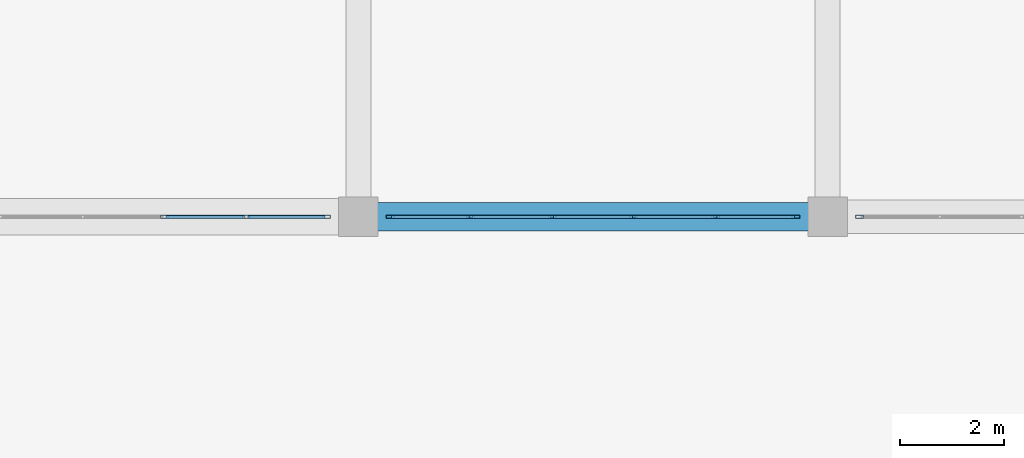
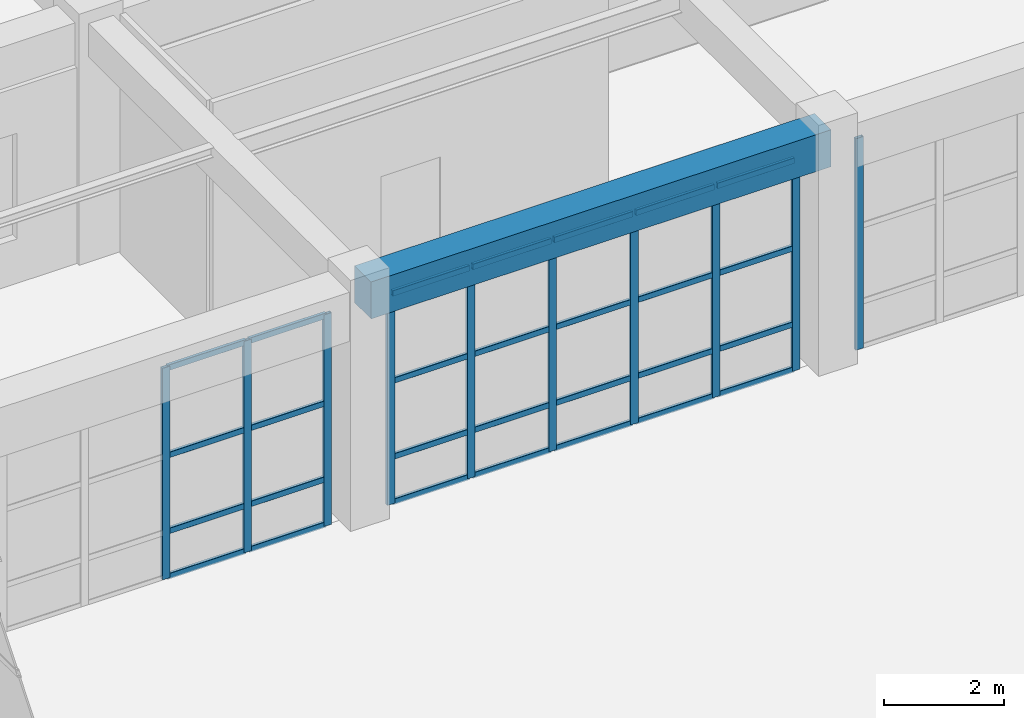
# One storey, part 33 of 128: 38 members, 1 beam, 3 elements without a shape of their own.
"""IFC4 building model written with IfcOpenShell, lengths in metres."""

from ifc_helpers import new_model, si_unit, direction, frame, origin, origin_2d, place, context, subcontext, project, spatial, rectangle, hollow_rectangle, extrude, material, material_profile, profile_set, type_object, element, aggregate, save


model = new_model("IFC4")

# Units and contexts
model_context = context("Model", 3, precision=1e-05, world=origin(), true_north=direction((0.0, 1.0)))
body_context = subcontext(model_context, "Body", "Model", "MODEL_VIEW")
ifc_project = project(units=[si_unit("LENGTHUNIT", "METRE"), si_unit("AREAUNIT", "SQUARE_METRE"), si_unit("VOLUMEUNIT", "CUBIC_METRE"), si_unit("PLANEANGLEUNIT", "RADIAN"), si_unit("MASSUNIT", "GRAM", prefix="KILO")], contexts=[model_context])

# Site, building, storey
site_placement = place(None, origin())
site = spatial("IfcSite", under=ifc_project, at=site_placement, CompositionType="ELEMENT")
building_placement = place(site_placement, origin())
building = spatial("IfcBuilding", under=site, at=building_placement, Name="Miravela Opera House", CompositionType="ELEMENT")
storey_placement = place(building_placement, origin())
storey = spatial("IfcBuildingStorey", under=building, at=storey_placement, Name="L00", CompositionType="ELEMENT", Elevation=0.0)

# Curtain wall, members
ifc_material_1 = material(Name="Anodised architectural bronze aluminium 6063-T6", Category="aluminium")
curtain_wall_type = type_object("IfcCurtainWallType", Name="ARC-CW-06", PredefinedType="NOTDEFINED", material=ifc_material_1)
curtain_wall_1_placement = place(storey_placement, origin())
curtain_wall_1 = element("IfcCurtainWall", 1, at=curtain_wall_1_placement, inside=storey, type_object=curtain_wall_type, Name="Courtyard Arcade Curtain Wall CW-L00-113", PredefinedType="NOTDEFINED")
ifc_material_profile_1 = material_profile(ifc_material_1, hollow_rectangle(XDim=0.06005859375, YDim=0.14990234375, WallThickness=0.00390625, InnerFilletRadius=0.001953125, OuterFilletRadius=0.00390625, at=origin_2d()), Name="CWM-60X150")
ifc_profile_set_1 = profile_set([ifc_material_profile_1])
member_type_1 = type_object("IfcMemberType", Name="ARC-CWM-150", PredefinedType="MULLION", material=ifc_profile_set_1)
member_1_placement = place(storey_placement, frame((32.283935546875, 28.0, 0.0), z_axis=(0.0, 0.0, 1.0), x_axis=(0.0, 1.0, 0.0)))
member_1 = element("IfcMember", 2, at=member_1_placement, type_object=member_type_1, Name="CW-06 mullion 4", PredefinedType="MULLION", context=body_context, shape_type="SweptSolid", body=[
    extrude(hollow_rectangle(XDim=0.06005859375, YDim=0.14990234375, WallThickness=0.00390625, InnerFilletRadius=0.001953125, OuterFilletRadius=0.00390625, at=origin_2d()), origin(), (0.0, 0.0, 1.0), 4.300048828125),
])
member_2_placement = place(storey_placement, frame((33.85205078125, 28.0, 0.0), z_axis=(0.0, 0.0, 1.0), x_axis=(0.0, 1.0, 0.0)))
member_2 = element("IfcMember", 3, at=member_2_placement, type_object=member_type_1, Name="CW-06 mullion 5", PredefinedType="MULLION", context=body_context, shape_type="SweptSolid", body=[
    extrude(hollow_rectangle(XDim=0.06005859375, YDim=0.14990234375, WallThickness=0.00390625, InnerFilletRadius=0.001953125, OuterFilletRadius=0.00390625, at=origin_2d()), origin(), (0.0, 0.0, 1.0), 4.300048828125),
])
member_3_placement = place(storey_placement, frame((35.389892578125, 28.0, 0.0), z_axis=(0.0, 0.0, 1.0), x_axis=(0.0, 1.0, 0.0)))
member_3 = element("IfcMember", 4, at=member_3_placement, type_object=member_type_1, Name="CW-06 mullion 6", PredefinedType="MULLION", context=body_context, shape_type="SweptSolid", body=[
    extrude(hollow_rectangle(XDim=0.06005859375, YDim=0.14990234375, WallThickness=0.00390625, InnerFilletRadius=0.001953125, OuterFilletRadius=0.00390625, at=origin_2d()), origin(), (0.0, 0.0, 1.0), 4.300048828125),
])

curtain_wall_2_placement = place(storey_placement, origin())
curtain_wall_2 = element("IfcCurtainWall", 5, at=curtain_wall_2_placement, inside=storey, type_object=curtain_wall_type, Name="Courtyard Arcade Curtain Wall CW-L00-115", PredefinedType="NOTDEFINED")
member_4_placement = place(storey_placement, frame((36.610107421875, 28.0, 0.0), z_axis=(0.0, 0.0, 1.0), x_axis=(0.0, 1.0, 0.0)))
member_4 = element("IfcMember", 6, at=member_4_placement, type_object=member_type_1, Name="CW-06 mullion 1", PredefinedType="MULLION", context=body_context, shape_type="SweptSolid", body=[
    extrude(hollow_rectangle(XDim=0.06005859375, YDim=0.14990234375, WallThickness=0.00390625, InnerFilletRadius=0.001953125, OuterFilletRadius=0.00390625, at=origin_2d()), origin(), (0.0, 0.0, 1.0), 4.300048828125),
])
member_5_placement = place(storey_placement, frame((38.14794921875, 28.0, 0.0), z_axis=(0.0, 0.0, 1.0), x_axis=(0.0, 1.0, 0.0)))
member_5 = element("IfcMember", 7, at=member_5_placement, type_object=member_type_1, Name="CW-06 mullion 2", PredefinedType="MULLION", context=body_context, shape_type="SweptSolid", body=[
    extrude(hollow_rectangle(XDim=0.06005859375, YDim=0.14990234375, WallThickness=0.00390625, InnerFilletRadius=0.001953125, OuterFilletRadius=0.00390625, at=origin_2d()), origin(), (0.0, 0.0, 1.0), 4.300048828125),
])
member_6_placement = place(storey_placement, frame((39.716064453125, 28.0, 0.0), z_axis=(0.0, 0.0, 1.0), x_axis=(0.0, 1.0, 0.0)))
member_6 = element("IfcMember", 8, at=member_6_placement, type_object=member_type_1, Name="CW-06 mullion 3", PredefinedType="MULLION", context=body_context, shape_type="SweptSolid", body=[
    extrude(hollow_rectangle(XDim=0.06005859375, YDim=0.14990234375, WallThickness=0.00390625, InnerFilletRadius=0.001953125, OuterFilletRadius=0.00390625, at=origin_2d()), origin(), (0.0, 0.0, 1.0), 4.300048828125),
])
member_7_placement = place(storey_placement, frame((41.283935546875, 28.0, 0.0), z_axis=(0.0, 0.0, 1.0), x_axis=(0.0, 1.0, 0.0)))
member_7 = element("IfcMember", 9, at=member_7_placement, type_object=member_type_1, Name="CW-06 mullion 4", PredefinedType="MULLION", context=body_context, shape_type="SweptSolid", body=[
    extrude(hollow_rectangle(XDim=0.06005859375, YDim=0.14990234375, WallThickness=0.00390625, InnerFilletRadius=0.001953125, OuterFilletRadius=0.00390625, at=origin_2d()), origin(), (0.0, 0.0, 1.0), 4.300048828125),
])
member_8_placement = place(storey_placement, frame((42.85205078125, 28.0, 0.0), z_axis=(0.0, 0.0, 1.0), x_axis=(0.0, 1.0, 0.0)))
member_8 = element("IfcMember", 10, at=member_8_placement, type_object=member_type_1, Name="CW-06 mullion 5", PredefinedType="MULLION", context=body_context, shape_type="SweptSolid", body=[
    extrude(hollow_rectangle(XDim=0.06005859375, YDim=0.14990234375, WallThickness=0.00390625, InnerFilletRadius=0.001953125, OuterFilletRadius=0.00390625, at=origin_2d()), origin(), (0.0, 0.0, 1.0), 4.300048828125),
])
member_9_placement = place(storey_placement, frame((44.389892578125, 28.0, 0.0), z_axis=(0.0, 0.0, 1.0), x_axis=(0.0, 1.0, 0.0)))
member_9 = element("IfcMember", 11, at=member_9_placement, type_object=member_type_1, Name="CW-06 mullion 6", PredefinedType="MULLION", context=body_context, shape_type="SweptSolid", body=[
    extrude(hollow_rectangle(XDim=0.06005859375, YDim=0.14990234375, WallThickness=0.00390625, InnerFilletRadius=0.001953125, OuterFilletRadius=0.00390625, at=origin_2d()), origin(), (0.0, 0.0, 1.0), 4.300048828125),
])

# Curtain wall, member
curtain_wall_3_placement = place(storey_placement, origin())
curtain_wall_3 = element("IfcCurtainWall", 12, at=curtain_wall_3_placement, inside=storey, type_object=curtain_wall_type, Name="Courtyard Arcade Curtain Wall CW-L00-117", PredefinedType="NOTDEFINED")
member_10_placement = place(storey_placement, frame((45.610107421875, 28.0, 0.0), z_axis=(0.0, 0.0, 1.0), x_axis=(0.0, 1.0, 0.0)))
member_10 = element("IfcMember", 13, at=member_10_placement, type_object=member_type_1, Name="CW-06 mullion 1", PredefinedType="MULLION", context=body_context, shape_type="SweptSolid", body=[
    extrude(hollow_rectangle(XDim=0.06005859375, YDim=0.14990234375, WallThickness=0.00390625, InnerFilletRadius=0.001953125, OuterFilletRadius=0.00390625, at=origin_2d()), origin(), (0.0, 0.0, 1.0), 4.300048828125),
])
aggregate(curtain_wall_3, [member_10])

# Member
ifc_material_profile_2 = material_profile(ifc_material_1, hollow_rectangle(XDim=0.06005859375, YDim=0.114990234375, WallThickness=0.00390625, InnerFilletRadius=0.001953125, OuterFilletRadius=0.00390625, at=origin_2d()), Name="CWT-60X115")
ifc_profile_set_2 = profile_set([ifc_material_profile_2])
member_type_2 = type_object("IfcMemberType", Name="ARC-CWT-115", PredefinedType="USERDEFINED", material=ifc_profile_set_2)
member_11_placement = place(storey_placement, frame((32.31396484375, 28.0, 0.030029296875), z_axis=(1.0, 0.0, 0.0), x_axis=(0.0, 1.0, 0.0)))
member_11 = element("IfcMember", 14, at=member_11_placement, type_object=member_type_2, Name="CW-06 transom 4.1", ObjectType="TRANSOM", PredefinedType="USERDEFINED", context=body_context, shape_type="SweptSolid", body=[
    extrude(hollow_rectangle(XDim=0.06005859375, YDim=0.114990234375, WallThickness=0.00390625, InnerFilletRadius=0.001953125, OuterFilletRadius=0.00390625, at=origin_2d()), origin(), (0.0, 0.0, 1.0), 1.508056640625),
])

member_12_placement = place(storey_placement, frame((32.31396484375, 28.0, 0.949951171875), z_axis=(1.0, 0.0, 0.0), x_axis=(0.0, 1.0, 0.0)))
member_12 = element("IfcMember", 15, at=member_12_placement, type_object=member_type_2, Name="CW-06 transom 4.2", ObjectType="TRANSOM", PredefinedType="USERDEFINED", context=body_context, shape_type="SweptSolid", body=[
    extrude(hollow_rectangle(XDim=0.06005859375, YDim=0.114990234375, WallThickness=0.00390625, InnerFilletRadius=0.001953125, OuterFilletRadius=0.00390625, at=origin_2d()), origin(), (0.0, 0.0, 1.0), 1.508056640625),
])

member_13_placement = place(storey_placement, frame((32.31396484375, 28.0, 2.493896484375), z_axis=(1.0, 0.0, 0.0), x_axis=(0.0, 1.0, 0.0)))
member_13 = element("IfcMember", 16, at=member_13_placement, type_object=member_type_2, Name="CW-06 transom 4.3", ObjectType="TRANSOM", PredefinedType="USERDEFINED", context=body_context, shape_type="SweptSolid", body=[
    extrude(hollow_rectangle(XDim=0.06005859375, YDim=0.114990234375, WallThickness=0.00390625, InnerFilletRadius=0.001953125, OuterFilletRadius=0.00390625, at=origin_2d()), origin(), (0.0, 0.0, 1.0), 1.508056640625),
])

member_14_placement = place(storey_placement, frame((32.31396484375, 28.0, 4.27001953125), z_axis=(1.0, 0.0, 0.0), x_axis=(0.0, 1.0, 0.0)))
member_14 = element("IfcMember", 17, at=member_14_placement, type_object=member_type_2, Name="CW-06 transom 4.4", ObjectType="TRANSOM", PredefinedType="USERDEFINED", context=body_context, shape_type="SweptSolid", body=[
    extrude(hollow_rectangle(XDim=0.06005859375, YDim=0.114990234375, WallThickness=0.00390625, InnerFilletRadius=0.001953125, OuterFilletRadius=0.00390625, at=origin_2d()), origin(), (0.0, 0.0, 1.0), 1.508056640625),
])

member_15_placement = place(storey_placement, frame((33.882080078125, 28.0, 0.030029296875), z_axis=(1.0, 0.0, 0.0), x_axis=(0.0, 1.0, 0.0)))
member_15 = element("IfcMember", 18, at=member_15_placement, type_object=member_type_2, Name="CW-06 transom 5.1", ObjectType="TRANSOM", PredefinedType="USERDEFINED", context=body_context, shape_type="SweptSolid", body=[
    extrude(hollow_rectangle(XDim=0.06005859375, YDim=0.114990234375, WallThickness=0.00390625, InnerFilletRadius=0.001953125, OuterFilletRadius=0.00390625, at=origin_2d()), origin(), (0.0, 0.0, 1.0), 1.47802734375),
])

member_16_placement = place(storey_placement, frame((33.882080078125, 28.0, 0.949951171875), z_axis=(1.0, 0.0, 0.0), x_axis=(0.0, 1.0, 0.0)))
member_16 = element("IfcMember", 19, at=member_16_placement, type_object=member_type_2, Name="CW-06 transom 5.2", ObjectType="TRANSOM", PredefinedType="USERDEFINED", context=body_context, shape_type="SweptSolid", body=[
    extrude(hollow_rectangle(XDim=0.06005859375, YDim=0.114990234375, WallThickness=0.00390625, InnerFilletRadius=0.001953125, OuterFilletRadius=0.00390625, at=origin_2d()), origin(), (0.0, 0.0, 1.0), 1.47802734375),
])

member_17_placement = place(storey_placement, frame((33.882080078125, 28.0, 2.493896484375), z_axis=(1.0, 0.0, 0.0), x_axis=(0.0, 1.0, 0.0)))
member_17 = element("IfcMember", 20, at=member_17_placement, type_object=member_type_2, Name="CW-06 transom 5.3", ObjectType="TRANSOM", PredefinedType="USERDEFINED", context=body_context, shape_type="SweptSolid", body=[
    extrude(hollow_rectangle(XDim=0.06005859375, YDim=0.114990234375, WallThickness=0.00390625, InnerFilletRadius=0.001953125, OuterFilletRadius=0.00390625, at=origin_2d()), origin(), (0.0, 0.0, 1.0), 1.47802734375),
])

member_18_placement = place(storey_placement, frame((33.882080078125, 28.0, 4.27001953125), z_axis=(1.0, 0.0, 0.0), x_axis=(0.0, 1.0, 0.0)))
member_18 = element("IfcMember", 21, at=member_18_placement, type_object=member_type_2, Name="CW-06 transom 5.4", ObjectType="TRANSOM", PredefinedType="USERDEFINED", context=body_context, shape_type="SweptSolid", body=[
    extrude(hollow_rectangle(XDim=0.06005859375, YDim=0.114990234375, WallThickness=0.00390625, InnerFilletRadius=0.001953125, OuterFilletRadius=0.00390625, at=origin_2d()), origin(), (0.0, 0.0, 1.0), 1.47802734375),
])

aggregate(curtain_wall_1, [member_1, member_2, member_3, member_11, member_12, member_13, member_14, member_15, member_16, member_17, member_18])

member_19_placement = place(storey_placement, frame((36.639892578125, 28.0, 0.030029296875), z_axis=(1.0, 0.0, 0.0), x_axis=(0.0, 1.0, 0.0)))
member_19 = element("IfcMember", 22, at=member_19_placement, type_object=member_type_2, Name="CW-06 transom 1.1", ObjectType="TRANSOM", PredefinedType="USERDEFINED", context=body_context, shape_type="SweptSolid", body=[
    extrude(hollow_rectangle(XDim=0.06005859375, YDim=0.114990234375, WallThickness=0.00390625, InnerFilletRadius=0.001953125, OuterFilletRadius=0.00390625, at=origin_2d()), origin(), (0.0, 0.0, 1.0), 1.47802734375),
])

member_20_placement = place(storey_placement, frame((36.639892578125, 28.0, 0.949951171875), z_axis=(1.0, 0.0, 0.0), x_axis=(0.0, 1.0, 0.0)))
member_20 = element("IfcMember", 23, at=member_20_placement, type_object=member_type_2, Name="CW-06 transom 1.2", ObjectType="TRANSOM", PredefinedType="USERDEFINED", context=body_context, shape_type="SweptSolid", body=[
    extrude(hollow_rectangle(XDim=0.06005859375, YDim=0.114990234375, WallThickness=0.00390625, InnerFilletRadius=0.001953125, OuterFilletRadius=0.00390625, at=origin_2d()), origin(), (0.0, 0.0, 1.0), 1.47802734375),
])

member_21_placement = place(storey_placement, frame((36.639892578125, 28.0, 2.493896484375), z_axis=(1.0, 0.0, 0.0), x_axis=(0.0, 1.0, 0.0)))
member_21 = element("IfcMember", 24, at=member_21_placement, type_object=member_type_2, Name="CW-06 transom 1.3", ObjectType="TRANSOM", PredefinedType="USERDEFINED", context=body_context, shape_type="SweptSolid", body=[
    extrude(hollow_rectangle(XDim=0.06005859375, YDim=0.114990234375, WallThickness=0.00390625, InnerFilletRadius=0.001953125, OuterFilletRadius=0.00390625, at=origin_2d()), origin(), (0.0, 0.0, 1.0), 1.47802734375),
])

member_22_placement = place(storey_placement, frame((36.639892578125, 28.0, 4.27001953125), z_axis=(1.0, 0.0, 0.0), x_axis=(0.0, 1.0, 0.0)))
member_22 = element("IfcMember", 25, at=member_22_placement, type_object=member_type_2, Name="CW-06 transom 1.4", ObjectType="TRANSOM", PredefinedType="USERDEFINED", context=body_context, shape_type="SweptSolid", body=[
    extrude(hollow_rectangle(XDim=0.06005859375, YDim=0.114990234375, WallThickness=0.00390625, InnerFilletRadius=0.001953125, OuterFilletRadius=0.00390625, at=origin_2d()), origin(), (0.0, 0.0, 1.0), 1.47802734375),
])

member_23_placement = place(storey_placement, frame((38.177978515625, 28.0, 0.030029296875), z_axis=(1.0, 0.0, 0.0), x_axis=(0.0, 1.0, 0.0)))
member_23 = element("IfcMember", 26, at=member_23_placement, type_object=member_type_2, Name="CW-06 transom 2.1", ObjectType="TRANSOM", PredefinedType="USERDEFINED", context=body_context, shape_type="SweptSolid", body=[
    extrude(hollow_rectangle(XDim=0.06005859375, YDim=0.114990234375, WallThickness=0.00390625, InnerFilletRadius=0.001953125, OuterFilletRadius=0.00390625, at=origin_2d()), origin(), (0.0, 0.0, 1.0), 1.508056640625),
])

member_24_placement = place(storey_placement, frame((38.177978515625, 28.0, 0.949951171875), z_axis=(1.0, 0.0, 0.0), x_axis=(0.0, 1.0, 0.0)))
member_24 = element("IfcMember", 27, at=member_24_placement, type_object=member_type_2, Name="CW-06 transom 2.2", ObjectType="TRANSOM", PredefinedType="USERDEFINED", context=body_context, shape_type="SweptSolid", body=[
    extrude(hollow_rectangle(XDim=0.06005859375, YDim=0.114990234375, WallThickness=0.00390625, InnerFilletRadius=0.001953125, OuterFilletRadius=0.00390625, at=origin_2d()), origin(), (0.0, 0.0, 1.0), 1.508056640625),
])

member_25_placement = place(storey_placement, frame((38.177978515625, 28.0, 2.493896484375), z_axis=(1.0, 0.0, 0.0), x_axis=(0.0, 1.0, 0.0)))
member_25 = element("IfcMember", 28, at=member_25_placement, type_object=member_type_2, Name="CW-06 transom 2.3", ObjectType="TRANSOM", PredefinedType="USERDEFINED", context=body_context, shape_type="SweptSolid", body=[
    extrude(hollow_rectangle(XDim=0.06005859375, YDim=0.114990234375, WallThickness=0.00390625, InnerFilletRadius=0.001953125, OuterFilletRadius=0.00390625, at=origin_2d()), origin(), (0.0, 0.0, 1.0), 1.508056640625),
])

member_26_placement = place(storey_placement, frame((38.177978515625, 28.0, 4.27001953125), z_axis=(1.0, 0.0, 0.0), x_axis=(0.0, 1.0, 0.0)))
member_26 = element("IfcMember", 29, at=member_26_placement, type_object=member_type_2, Name="CW-06 transom 2.4", ObjectType="TRANSOM", PredefinedType="USERDEFINED", context=body_context, shape_type="SweptSolid", body=[
    extrude(hollow_rectangle(XDim=0.06005859375, YDim=0.114990234375, WallThickness=0.00390625, InnerFilletRadius=0.001953125, OuterFilletRadius=0.00390625, at=origin_2d()), origin(), (0.0, 0.0, 1.0), 1.508056640625),
])

member_27_placement = place(storey_placement, frame((39.74609375, 28.0, 0.030029296875), z_axis=(1.0, 0.0, 0.0), x_axis=(0.0, 1.0, 0.0)))
member_27 = element("IfcMember", 30, at=member_27_placement, type_object=member_type_2, Name="CW-06 transom 3.1", ObjectType="TRANSOM", PredefinedType="USERDEFINED", context=body_context, shape_type="SweptSolid", body=[
    extrude(hollow_rectangle(XDim=0.06005859375, YDim=0.114990234375, WallThickness=0.00390625, InnerFilletRadius=0.001953125, OuterFilletRadius=0.00390625, at=origin_2d()), origin(), (0.0, 0.0, 1.0), 1.5078125),
])

member_28_placement = place(storey_placement, frame((39.74609375, 28.0, 0.949951171875), z_axis=(1.0, 0.0, 0.0), x_axis=(0.0, 1.0, 0.0)))
member_28 = element("IfcMember", 31, at=member_28_placement, type_object=member_type_2, Name="CW-06 transom 3.2", ObjectType="TRANSOM", PredefinedType="USERDEFINED", context=body_context, shape_type="SweptSolid", body=[
    extrude(hollow_rectangle(XDim=0.06005859375, YDim=0.114990234375, WallThickness=0.00390625, InnerFilletRadius=0.001953125, OuterFilletRadius=0.00390625, at=origin_2d()), origin(), (0.0, 0.0, 1.0), 1.5078125),
])

member_29_placement = place(storey_placement, frame((39.74609375, 28.0, 2.493896484375), z_axis=(1.0, 0.0, 0.0), x_axis=(0.0, 1.0, 0.0)))
member_29 = element("IfcMember", 32, at=member_29_placement, type_object=member_type_2, Name="CW-06 transom 3.3", ObjectType="TRANSOM", PredefinedType="USERDEFINED", context=body_context, shape_type="SweptSolid", body=[
    extrude(hollow_rectangle(XDim=0.06005859375, YDim=0.114990234375, WallThickness=0.00390625, InnerFilletRadius=0.001953125, OuterFilletRadius=0.00390625, at=origin_2d()), origin(), (0.0, 0.0, 1.0), 1.5078125),
])

member_30_placement = place(storey_placement, frame((39.74609375, 28.0, 4.27001953125), z_axis=(1.0, 0.0, 0.0), x_axis=(0.0, 1.0, 0.0)))
member_30 = element("IfcMember", 33, at=member_30_placement, type_object=member_type_2, Name="CW-06 transom 3.4", ObjectType="TRANSOM", PredefinedType="USERDEFINED", context=body_context, shape_type="SweptSolid", body=[
    extrude(hollow_rectangle(XDim=0.06005859375, YDim=0.114990234375, WallThickness=0.00390625, InnerFilletRadius=0.001953125, OuterFilletRadius=0.00390625, at=origin_2d()), origin(), (0.0, 0.0, 1.0), 1.5078125),
])

member_31_placement = place(storey_placement, frame((41.31396484375, 28.0, 0.030029296875), z_axis=(1.0, 0.0, 0.0), x_axis=(0.0, 1.0, 0.0)))
member_31 = element("IfcMember", 34, at=member_31_placement, type_object=member_type_2, Name="CW-06 transom 4.1", ObjectType="TRANSOM", PredefinedType="USERDEFINED", context=body_context, shape_type="SweptSolid", body=[
    extrude(hollow_rectangle(XDim=0.06005859375, YDim=0.114990234375, WallThickness=0.00390625, InnerFilletRadius=0.001953125, OuterFilletRadius=0.00390625, at=origin_2d()), origin(), (0.0, 0.0, 1.0), 1.508056640625),
])

member_32_placement = place(storey_placement, frame((41.31396484375, 28.0, 0.949951171875), z_axis=(1.0, 0.0, 0.0), x_axis=(0.0, 1.0, 0.0)))
member_32 = element("IfcMember", 35, at=member_32_placement, type_object=member_type_2, Name="CW-06 transom 4.2", ObjectType="TRANSOM", PredefinedType="USERDEFINED", context=body_context, shape_type="SweptSolid", body=[
    extrude(hollow_rectangle(XDim=0.06005859375, YDim=0.114990234375, WallThickness=0.00390625, InnerFilletRadius=0.001953125, OuterFilletRadius=0.00390625, at=origin_2d()), origin(), (0.0, 0.0, 1.0), 1.508056640625),
])

member_33_placement = place(storey_placement, frame((41.31396484375, 28.0, 2.493896484375), z_axis=(1.0, 0.0, 0.0), x_axis=(0.0, 1.0, 0.0)))
member_33 = element("IfcMember", 36, at=member_33_placement, type_object=member_type_2, Name="CW-06 transom 4.3", ObjectType="TRANSOM", PredefinedType="USERDEFINED", context=body_context, shape_type="SweptSolid", body=[
    extrude(hollow_rectangle(XDim=0.06005859375, YDim=0.114990234375, WallThickness=0.00390625, InnerFilletRadius=0.001953125, OuterFilletRadius=0.00390625, at=origin_2d()), origin(), (0.0, 0.0, 1.0), 1.508056640625),
])

member_34_placement = place(storey_placement, frame((41.31396484375, 28.0, 4.27001953125), z_axis=(1.0, 0.0, 0.0), x_axis=(0.0, 1.0, 0.0)))
member_34 = element("IfcMember", 37, at=member_34_placement, type_object=member_type_2, Name="CW-06 transom 4.4", ObjectType="TRANSOM", PredefinedType="USERDEFINED", context=body_context, shape_type="SweptSolid", body=[
    extrude(hollow_rectangle(XDim=0.06005859375, YDim=0.114990234375, WallThickness=0.00390625, InnerFilletRadius=0.001953125, OuterFilletRadius=0.00390625, at=origin_2d()), origin(), (0.0, 0.0, 1.0), 1.508056640625),
])

member_35_placement = place(storey_placement, frame((42.882080078125, 28.0, 0.030029296875), z_axis=(1.0, 0.0, 0.0), x_axis=(0.0, 1.0, 0.0)))
member_35 = element("IfcMember", 38, at=member_35_placement, type_object=member_type_2, Name="CW-06 transom 5.1", ObjectType="TRANSOM", PredefinedType="USERDEFINED", context=body_context, shape_type="SweptSolid", body=[
    extrude(hollow_rectangle(XDim=0.06005859375, YDim=0.114990234375, WallThickness=0.00390625, InnerFilletRadius=0.001953125, OuterFilletRadius=0.00390625, at=origin_2d()), origin(), (0.0, 0.0, 1.0), 1.47802734375),
])

member_36_placement = place(storey_placement, frame((42.882080078125, 28.0, 0.949951171875), z_axis=(1.0, 0.0, 0.0), x_axis=(0.0, 1.0, 0.0)))
member_36 = element("IfcMember", 39, at=member_36_placement, type_object=member_type_2, Name="CW-06 transom 5.2", ObjectType="TRANSOM", PredefinedType="USERDEFINED", context=body_context, shape_type="SweptSolid", body=[
    extrude(hollow_rectangle(XDim=0.06005859375, YDim=0.114990234375, WallThickness=0.00390625, InnerFilletRadius=0.001953125, OuterFilletRadius=0.00390625, at=origin_2d()), origin(), (0.0, 0.0, 1.0), 1.47802734375),
])

member_37_placement = place(storey_placement, frame((42.882080078125, 28.0, 2.493896484375), z_axis=(1.0, 0.0, 0.0), x_axis=(0.0, 1.0, 0.0)))
member_37 = element("IfcMember", 40, at=member_37_placement, type_object=member_type_2, Name="CW-06 transom 5.3", ObjectType="TRANSOM", PredefinedType="USERDEFINED", context=body_context, shape_type="SweptSolid", body=[
    extrude(hollow_rectangle(XDim=0.06005859375, YDim=0.114990234375, WallThickness=0.00390625, InnerFilletRadius=0.001953125, OuterFilletRadius=0.00390625, at=origin_2d()), origin(), (0.0, 0.0, 1.0), 1.47802734375),
])

member_38_placement = place(storey_placement, frame((42.882080078125, 28.0, 4.27001953125), z_axis=(1.0, 0.0, 0.0), x_axis=(0.0, 1.0, 0.0)))
member_38 = element("IfcMember", 41, at=member_38_placement, type_object=member_type_2, Name="CW-06 transom 5.4", ObjectType="TRANSOM", PredefinedType="USERDEFINED", context=body_context, shape_type="SweptSolid", body=[
    extrude(hollow_rectangle(XDim=0.06005859375, YDim=0.114990234375, WallThickness=0.00390625, InnerFilletRadius=0.001953125, OuterFilletRadius=0.00390625, at=origin_2d()), origin(), (0.0, 0.0, 1.0), 1.47802734375),
])

aggregate(curtain_wall_2, [member_4, member_5, member_6, member_7, member_8, member_9, member_19, member_20, member_21, member_22, member_23, member_24, member_25, member_26, member_27, member_28, member_29, member_30, member_31, member_32, member_33, member_34, member_35, member_36, member_37, member_38])

# Beam
ifc_material_2 = material(Name="Concrete C35/45", Category="concrete")
ifc_material_profile_3 = material_profile(ifc_material_2, rectangle(XDim=0.550048828125, YDim=0.75, at=origin_2d()), Name="RC-BM-550X750")
ifc_profile_set_3 = profile_set([ifc_material_profile_3])
beam_type = type_object("IfcBeamType", Name="STR-BM-RC550X750", PredefinedType="BEAM", material=ifc_profile_set_3)
beam_placement = place(storey_placement, frame((36.080078125, 28.0, 4.47509765625), z_axis=(1.0, 0.0, 0.0), x_axis=(0.0, 1.0, 0.0)))
element("IfcBeam", 42, at=beam_placement, inside=storey, type_object=beam_type, Name="Floor Girder L00 5-6/D", PredefinedType="BEAM", context=body_context, shape_type="SweptSolid", body=[
    extrude(rectangle(XDim=0.550048828125, YDim=0.75, at=origin_2d()), origin(), (0.0, 0.0, 1.0), 8.83984375),
])

save(model, "model.ifc")
